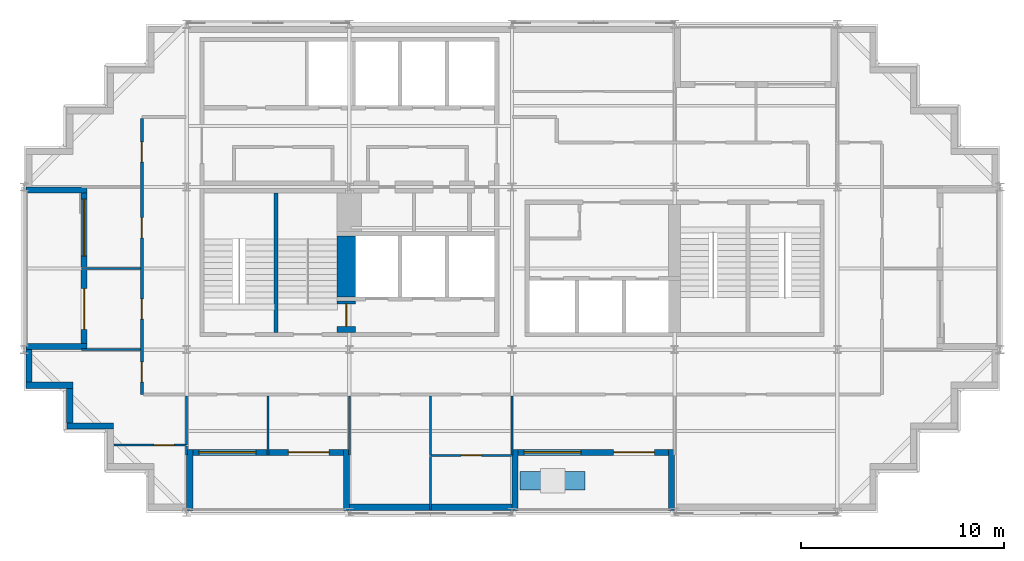
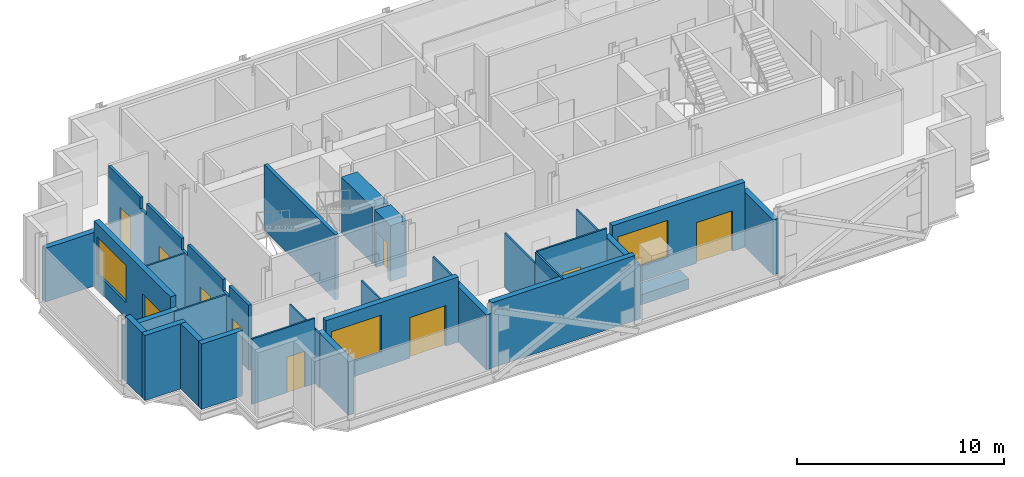
# One storey, part 4 of 10: 30 walls, 10 doors, 3 windows, 13 openings.
"""IFC4 building model written with IfcOpenShell, lengths in metres."""

from ifc_helpers import new_model, si_unit, direction, frame, frame_2d, origin, place, context, subcontext, project, spatial, polyline, rectangle, outline, extrude, material, layer, layer_set, type_object, element, fill, save


model = new_model("IFC4")

# Units and contexts
model_context = context("Model", 3, precision=1e-05, world=origin(), true_north=direction((0.0, 1.0)))
body_context = subcontext(model_context, "Body", "Model", "MODEL_VIEW")
ifc_project = project(units=[si_unit("LENGTHUNIT", "METRE"), si_unit("AREAUNIT", "SQUARE_METRE"), si_unit("VOLUMEUNIT", "CUBIC_METRE"), si_unit("PLANEANGLEUNIT", "RADIAN"), si_unit("MASSUNIT", "GRAM", prefix="KILO")], contexts=[model_context])

# Site, building, storey
site_placement = place(None, origin())
site = spatial("IfcSite", under=ifc_project, at=site_placement, CompositionType="ELEMENT")
building_placement = place(site_placement, origin())
building = spatial("IfcBuilding", under=site, at=building_placement, Name="Immortelle Media Tower", CompositionType="ELEMENT")
storey_placement = place(building_placement, frame((0.0, 0.0, 233.0)))
storey = spatial("IfcBuildingStorey", under=building, at=storey_placement, Name="L50", CompositionType="ELEMENT", Elevation=233.0)

# Wall, openings, doors
ifc_material_1 = material(Name="Fire-rated gypsum board", Category="gypsum")
ifc_layer_1 = layer(ifc_material_1, 0.012451171875)
ifc_material_2 = material(Name="Steel ASTM A653 SS Gr 50 stud frame with mineral wool", Category="steel")
ifc_layer_2 = layer(ifc_material_2, 0.125)
ifc_layer_3 = layer(ifc_material_1, 0.012451171875)
ifc_layer_set_1 = layer_set([ifc_layer_1, ifc_layer_2, ifc_layer_3], Name="Steel ASTM A653 SS Gr 50 stud frame with mineral wool")
wall_type_1 = type_object("IfcWallType", Name="Corridor wall 150", PredefinedType="PARTITIONING", material=ifc_layer_set_1)
wall_1_placement = place(storey_placement, frame((5.800048828125, 5.800048828125, 0.0), z_axis=(0.0, 0.0, 1.0), x_axis=(0.0, 1.0, 0.0)))
wall_1 = element("IfcWall", 1, at=wall_1_placement, inside=storey, type_object=wall_type_1, Name="Partition L50-012", PredefinedType="PARTITIONING", context=body_context, shape_type="SweptSolid", body=[
    extrude(outline(polyline([(0.0, 0.0), (13.574951171875, 0.0), (13.574951171875, 3.85009765625), (10.5, 3.85009765625), (10.498046875, 3.172119140625), (9.902099609375, 3.172119140625), (9.89990234375, 3.85009765625), (6.5, 3.85009765625), (6.498046875, 3.172119140625), (5.902099609375, 3.172119140625), (5.89990234375, 3.85009765625), (2.5, 3.85009765625), (2.498046875, 3.172119140625), (1.902099609375, 3.172119140625), (1.89990234375, 3.85009765625), (0.0, 3.85009765625), (0.0, 0.0)])), frame((0.0, 0.074951171875, 0.0), z_axis=(0.0, -1.0, 0.0), x_axis=(1.0, 0.0, 0.0)), (0.0, 0.0, 1.0), 0.14990234375),
])
opening_1_placement = place(wall_1_placement, frame((0.60009765625, 0.0, 0.0)))
opening_1 = element("IfcOpeningElement", 2, at=opening_1_placement, cuts=wall_1, Name="Opening O6-F008", PredefinedType="OPENING", context=body_context, shape_type="SweptSolid", body=[
    extrude(rectangle(XDim=1.0, YDim=2.10009765625, at=frame_2d((0.5, 1.050048828125))), frame((0.0, 0.0849609375, 0.0), z_axis=(0.0, -1.0, 0.0), x_axis=(1.0, 0.0, 0.0)), (0.0, 0.0, 1.0), 0.169921875),
])
opening_2_placement = place(wall_1_placement, frame((3.699951171875, 0.0, 0.0)))
opening_2 = element("IfcOpeningElement", 3, at=opening_2_placement, cuts=wall_1, Name="Opening O6-F010", PredefinedType="OPENING", context=body_context, shape_type="SweptSolid", body=[
    extrude(rectangle(XDim=1.0, YDim=2.10009765625, at=frame_2d((0.5, 1.050048828125))), frame((0.0, 0.0849609375, 0.0), z_axis=(0.0, -1.0, 0.0), x_axis=(1.0, 0.0, 0.0)), (0.0, 0.0, 1.0), 0.169921875),
])
opening_3_placement = place(wall_1_placement, frame((7.699951171875, 0.0, 0.0)))
opening_3 = element("IfcOpeningElement", 4, at=opening_3_placement, cuts=wall_1, Name="Opening O6-F011", PredefinedType="OPENING", context=body_context, shape_type="SweptSolid", body=[
    extrude(rectangle(XDim=1.0, YDim=2.10009765625, at=frame_2d((0.5, 1.050048828125))), frame((0.0, 0.0849609375, 0.0), z_axis=(0.0, -1.0, 0.0), x_axis=(1.0, 0.0, 0.0)), (0.0, 0.0, 1.0), 0.169921875),
])
opening_4_placement = place(wall_1_placement, frame((11.425048828125, 0.0, 0.0)))
opening_4 = element("IfcOpeningElement", 5, at=opening_4_placement, cuts=wall_1, Name="Opening O6-F014", PredefinedType="OPENING", context=body_context, shape_type="SweptSolid", body=[
    extrude(rectangle(XDim=1.0, YDim=2.10009765625, at=frame_2d((0.5, 1.050048828125))), frame((0.0, 0.0849609375, 0.0), z_axis=(0.0, -1.0, 0.0), x_axis=(1.0, 0.0, 0.0)), (0.0, 0.0, 1.0), 0.169921875),
])
ifc_material_3 = material(Name="Timber veneered door leaf, galvanised steel frame ASTM A653", Category="steel")
door_type_1 = type_object("IfcDoorType", Name="Room door 1000 x 2100", OperationType="NOTDEFINED", PredefinedType="DOOR", material=ifc_material_3)
door_1_placement = place(opening_1_placement, origin())
door_1 = element("IfcDoor", 6, at=door_1_placement, inside=storey, type_object=door_type_1, Name="Door O6-F008", OperationType="SINGLE_SWING_RIGHT", OverallHeight=2.10009765625, OverallWidth=1.0, PredefinedType="DOOR", context=body_context, shape_type="SweptSolid", body=[
    extrude(rectangle(XDim=1.0, YDim=2.10009765625, at=frame_2d((0.5, 1.050048828125))), frame((0.0, 0.02490234375, 0.0), z_axis=(0.0, -1.0, 0.0), x_axis=(1.0, 0.0, 0.0)), (0.0, 0.0, 1.0), 0.050048828125),
])
fill(opening_1, door_1)
door_2_placement = place(opening_2_placement, origin())
door_2 = element("IfcDoor", 7, at=door_2_placement, inside=storey, type_object=door_type_1, Name="Door O6-F010", OperationType="SINGLE_SWING_RIGHT", OverallHeight=2.10009765625, OverallWidth=1.0, PredefinedType="DOOR", context=body_context, shape_type="SweptSolid", body=[
    extrude(rectangle(XDim=1.0, YDim=2.10009765625, at=frame_2d((0.5, 1.050048828125))), frame((0.0, 0.02490234375, 0.0), z_axis=(0.0, -1.0, 0.0), x_axis=(1.0, 0.0, 0.0)), (0.0, 0.0, 1.0), 0.050048828125),
])
fill(opening_2, door_2)
door_3_placement = place(opening_3_placement, origin())
door_3 = element("IfcDoor", 8, at=door_3_placement, inside=storey, type_object=door_type_1, Name="Door O6-F011", OperationType="SINGLE_SWING_LEFT", OverallHeight=2.10009765625, OverallWidth=1.0, PredefinedType="DOOR", context=body_context, shape_type="SweptSolid", body=[
    extrude(rectangle(XDim=1.0, YDim=2.10009765625, at=frame_2d((0.5, 1.050048828125))), frame((0.0, 0.02490234375, 0.0), z_axis=(0.0, -1.0, 0.0), x_axis=(1.0, 0.0, 0.0)), (0.0, 0.0, 1.0), 0.050048828125),
])
fill(opening_3, door_3)
door_4_placement = place(opening_4_placement, origin())
door_4 = element("IfcDoor", 9, at=door_4_placement, inside=storey, type_object=door_type_1, Name="Door O6-F014", OperationType="SINGLE_SWING_LEFT", OverallHeight=2.10009765625, OverallWidth=1.0, PredefinedType="DOOR", context=body_context, shape_type="SweptSolid", body=[
    extrude(rectangle(XDim=1.0, YDim=2.10009765625, at=frame_2d((0.5, 1.050048828125))), frame((0.0, 0.02490234375, 0.0), z_axis=(0.0, -1.0, 0.0), x_axis=(1.0, 0.0, 0.0)), (0.0, 0.0, 1.0), 0.050048828125),
])
fill(opening_4, door_4)

# Walls
ifc_material_4 = material(Name="Pale aluminium cladding panel", Category="aluminium")
ifc_layer_4 = layer(ifc_material_4, 0.030029296875)
ifc_layer_5 = layer(ifc_material_2, 0.257568359375)
ifc_material_5 = material(Name="Moisture-resistant gypsum board", Category="gypsum")
ifc_layer_6 = layer(ifc_material_5, 0.012451171875)
ifc_layer_set_2 = layer_set([ifc_layer_4, ifc_layer_5, ifc_layer_6], Name="Steel ASTM A653 SS Gr 50 stud frame with mineral wool")
wall_type_2 = type_object("IfcWallType", Name="Facade wall 300", PredefinedType="SOLIDWALL", material=ifc_layer_set_2)
wall_2_placement = place(storey_placement, frame((0.10009765625, 6.25, 0.0), z_axis=(0.0, 0.0, 1.0), x_axis=(1.0, 0.0, 0.0)))
element("IfcWall", 10, at=wall_2_placement, inside=storey, type_object=wall_type_2, Name="Facade wall L50 S0", PredefinedType="SOLIDWALL", context=body_context, shape_type="SweptSolid", body=[
    extrude(rectangle(XDim=2.2998046875, YDim=0.300048828125, at=frame_2d((1.14990234375, 0.0))), origin(), (0.0, 0.0, 1.0), 3.85009765625),
])
wall_3_placement = place(storey_placement, frame((2.25, 6.10009765625, 0.0), z_axis=(0.0, 0.0, 1.0), x_axis=(0.0, -1.0, 0.0)))
element("IfcWall", 11, at=wall_3_placement, inside=storey, type_object=wall_type_2, Name="Facade wall L50 W1", PredefinedType="SOLIDWALL", context=body_context, shape_type="SweptSolid", body=[
    extrude(rectangle(XDim=1.7001953125, YDim=0.300048828125, at=frame_2d((0.85009765625, 0.0))), origin(), (0.0, 0.0, 1.0), 3.85009765625),
])
wall_4_placement = place(storey_placement, frame((2.10009765625, 4.25, 0.0), z_axis=(0.0, 0.0, 1.0), x_axis=(1.0, 0.0, 0.0)))
element("IfcWall", 12, at=wall_4_placement, inside=storey, type_object=wall_type_2, Name="Facade wall L50 S2", PredefinedType="SOLIDWALL", context=body_context, shape_type="SweptSolid", body=[
    extrude(rectangle(XDim=2.2998046875, YDim=0.300048828125, at=frame_2d((1.14990234375, 0.0))), origin(), (0.0, 0.0, 1.0), 3.85009765625),
])

# Wall, openings, door, window
wall_5_placement = place(storey_placement, frame((8.300048828125, 2.949951171875, 0.0), z_axis=(0.0, 0.0, 1.0), x_axis=(1.0, 0.0, 0.0)))
wall_5 = element("IfcWall", 13, at=wall_5_placement, inside=storey, type_object=wall_type_2, Name="Loggia wall L50 S6", PredefinedType="SOLIDWALL", context=body_context, shape_type="SweptSolid", body=[
    extrude(rectangle(XDim=7.39990234375, YDim=0.300048828125, at=frame_2d((3.699951171875, 0.0))), origin(), (0.0, 0.0, 1.0), 3.85009765625),
])
opening_5_placement = place(wall_5_placement, frame((0.300048828125, 0.0, 0.89990234375)))
opening_5 = element("IfcOpeningElement", 14, at=opening_5_placement, cuts=wall_5, Name="Opening W1", PredefinedType="OPENING", context=body_context, shape_type="SweptSolid", body=[
    extrude(rectangle(XDim=2.800048828125, YDim=2.199951171875, at=frame_2d((1.39990234375, 1.10009765625))), frame((0.0, 0.159912109375, 0.0), z_axis=(0.0, -1.0, 0.0), x_axis=(1.0, 0.0, 0.0)), (0.0, 0.0, 1.0), 0.320068359375),
])
opening_6_placement = place(wall_5_placement, frame((4.699951171875, 0.0, 0.0)))
opening_6 = element("IfcOpeningElement", 15, at=opening_6_placement, cuts=wall_5, Name="Opening O6-E001", PredefinedType="OPENING", context=body_context, shape_type="SweptSolid", body=[
    extrude(rectangle(XDim=2.0, YDim=2.39990234375, at=frame_2d((1.0, 1.199951171875))), frame((0.0, 0.159912109375, 0.0), z_axis=(0.0, -1.0, 0.0), x_axis=(1.0, 0.0, 0.0)), (0.0, 0.0, 1.0), 0.320068359375),
])
ifc_material_6 = material(Name="Aluminium frame, glazed leaves", Category="aluminium")
door_type_2 = type_object("IfcDoorType", Name="Loggia door 2000 x 2400", OperationType="DOUBLE_DOOR_SINGLE_SWING", PredefinedType="DOOR", material=ifc_material_6)
door_5_placement = place(opening_6_placement, origin())
door_5 = element("IfcDoor", 16, at=door_5_placement, inside=storey, type_object=door_type_2, Name="Door O6-E001", OperationType="DOUBLE_DOOR_SINGLE_SWING", OverallHeight=2.39990234375, OverallWidth=2.0, PredefinedType="DOOR", context=body_context, shape_type="SweptSolid", body=[
    extrude(rectangle(XDim=2.0, YDim=2.39990234375, at=frame_2d((1.0, 1.199951171875))), frame((0.0, 0.02490234375, 0.0), z_axis=(0.0, -1.0, 0.0), x_axis=(1.0, 0.0, 0.0)), (0.0, 0.0, 1.0), 0.050048828125),
])
fill(opening_6, door_5)
ifc_material_7 = material(Name="Aluminium frame", Category="aluminium")
window_type = type_object("IfcWindowType", Name="Window 2800 x 2200", PartitioningType="SINGLE_PANEL", PredefinedType="WINDOW", material=ifc_material_7)
window_1_placement = place(opening_5_placement, origin())
window_1 = element("IfcWindow", 17, at=window_1_placement, inside=storey, type_object=window_type, Name="Window L50 L50-R6-B0", OverallHeight=2.199951171875, OverallWidth=2.800048828125, PartitioningType="SINGLE_PANEL", PredefinedType="WINDOW", context=body_context, shape_type="SweptSolid", body=[
    extrude(rectangle(XDim=2.800048828125, YDim=2.199951171875, at=frame_2d((1.39990234375, 1.10009765625))), frame((0.0, 0.030029296875, 0.0), z_axis=(0.0, -1.0, 0.0), x_axis=(1.0, 0.0, 0.0)), (0.0, 0.0, 1.0), 0.06005859375),
])
fill(opening_5, window_1)

# Walls
wall_6_placement = place(storey_placement, frame((8.14990234375, 0.10009765625, 0.0), z_axis=(0.0, 0.0, 1.0), x_axis=(0.0, 1.0, 0.0)))
element("IfcWall", 18, at=wall_6_placement, inside=storey, type_object=wall_type_2, Name="Loggia cheek wall L50 S", PredefinedType="SOLIDWALL", context=body_context, shape_type="SweptSolid", body=[
    extrude(rectangle(XDim=3.0, YDim=0.300048828125, at=frame_2d((1.5, 0.0))), origin(), (0.0, 0.0, 1.0), 3.1708984375),
])
wall_7_placement = place(storey_placement, frame((15.85009765625, 0.10009765625, 0.0), z_axis=(0.0, 0.0, 1.0), x_axis=(0.0, 1.0, 0.0)))
element("IfcWall", 19, at=wall_7_placement, inside=storey, type_object=wall_type_2, Name="Loggia cheek wall L50 S", PredefinedType="SOLIDWALL", context=body_context, shape_type="SweptSolid", body=[
    extrude(rectangle(XDim=3.0, YDim=0.300048828125, at=frame_2d((1.5, 0.0))), origin(), (0.0, 0.0, 1.0), 3.237060546875),
])
wall_8_placement = place(storey_placement, frame((16.0, 0.25, 0.0), z_axis=(0.0, 0.0, 1.0), x_axis=(1.0, 0.0, 0.0)))
element("IfcWall", 20, at=wall_8_placement, inside=storey, type_object=wall_type_2, Name="Facade wall L50 S6", PredefinedType="SOLIDWALL", context=body_context, shape_type="SweptSolid", body=[
    extrude(rectangle(XDim=8.0, YDim=0.300048828125, at=frame_2d((4.0, 0.0))), origin(), (0.0, 0.0, 1.0), 3.85009765625),
])

# Wall, openings, door, window
wall_9_placement = place(storey_placement, frame((24.300048828125, 2.949951171875, 0.0), z_axis=(0.0, 0.0, 1.0), x_axis=(1.0, 0.0, 0.0)))
wall_9 = element("IfcWall", 21, at=wall_9_placement, inside=storey, type_object=wall_type_2, Name="Loggia wall L50 S6", PredefinedType="SOLIDWALL", context=body_context, shape_type="SweptSolid", body=[
    extrude(rectangle(XDim=7.39990234375, YDim=0.300048828125, at=frame_2d((3.699951171875, 0.0))), origin(), (0.0, 0.0, 1.0), 3.85009765625),
])
opening_7_placement = place(wall_9_placement, frame((0.300048828125, 0.0, 0.89990234375)))
opening_7 = element("IfcOpeningElement", 22, at=opening_7_placement, cuts=wall_9, Name="Opening W1", PredefinedType="OPENING", context=body_context, shape_type="SweptSolid", body=[
    extrude(rectangle(XDim=2.800048828125, YDim=2.199951171875, at=frame_2d((1.39990234375, 1.10009765625))), frame((0.0, 0.159912109375, 0.0), z_axis=(0.0, -1.0, 0.0), x_axis=(1.0, 0.0, 0.0)), (0.0, 0.0, 1.0), 0.320068359375),
])
opening_8_placement = place(wall_9_placement, frame((4.699951171875, 0.0, 0.0)))
opening_8 = element("IfcOpeningElement", 23, at=opening_8_placement, cuts=wall_9, Name="Opening O6-E002", PredefinedType="OPENING", context=body_context, shape_type="SweptSolid", body=[
    extrude(rectangle(XDim=2.0, YDim=2.39990234375, at=frame_2d((1.0, 1.199951171875))), frame((0.0, 0.159912109375, 0.0), z_axis=(0.0, -1.0, 0.0), x_axis=(1.0, 0.0, 0.0)), (0.0, 0.0, 1.0), 0.320068359375),
])
door_6_placement = place(opening_8_placement, origin())
door_6 = element("IfcDoor", 24, at=door_6_placement, inside=storey, type_object=door_type_2, Name="Door O6-E002", OperationType="DOUBLE_DOOR_SINGLE_SWING", OverallHeight=2.39990234375, OverallWidth=2.0, PredefinedType="DOOR", context=body_context, shape_type="SweptSolid", body=[
    extrude(rectangle(XDim=2.0, YDim=2.39990234375, at=frame_2d((1.0, 1.199951171875))), frame((0.0, 0.02490234375, 0.0), z_axis=(0.0, -1.0, 0.0), x_axis=(1.0, 0.0, 0.0)), (0.0, 0.0, 1.0), 0.050048828125),
])
fill(opening_8, door_6)
window_2_placement = place(opening_7_placement, origin())
window_2 = element("IfcWindow", 25, at=window_2_placement, inside=storey, type_object=window_type, Name="Window L50 L50-R6-B2", OverallHeight=2.199951171875, OverallWidth=2.800048828125, PartitioningType="SINGLE_PANEL", PredefinedType="WINDOW", context=body_context, shape_type="SweptSolid", body=[
    extrude(rectangle(XDim=2.800048828125, YDim=2.199951171875, at=frame_2d((1.39990234375, 1.10009765625))), frame((0.0, 0.030029296875, 0.0), z_axis=(0.0, -1.0, 0.0), x_axis=(1.0, 0.0, 0.0)), (0.0, 0.0, 1.0), 0.06005859375),
])
fill(opening_7, window_2)

# Walls
for number, where, z_axis, x_axis, name in (
    (26, (24.14990234375, 0.10009765625, 0.0), (0.0, 0.0, 1.0), (0.0, 1.0, 0.0), "Loggia cheek wall L50 S"),
    (27, (31.85009765625, 0.10009765625, 0.0), (0.0, 0.0, 1.0), (0.0, 1.0, 0.0), "Loggia cheek wall L50 S"),
):
    element("IfcWall", number, at=place(storey_placement, frame(where, z_axis=z_axis, x_axis=x_axis)), inside=storey, type_object=wall_type_2, Name=name, PredefinedType="SOLIDWALL", context=body_context, shape_type="SweptSolid", body=[
        extrude(rectangle(XDim=3.0, YDim=0.300048828125, at=frame_2d((1.5, 0.0))), origin(), (0.0, 0.0, 1.0), 3.237060546875),
    ])

# Wall, openings, door, window
wall_10_placement = place(storey_placement, frame((2.949951171875, 15.699951171875, 0.0), z_axis=(0.0, 0.0, 1.0), x_axis=(0.0, -1.0, 0.0)))
wall_10 = element("IfcWall", 28, at=wall_10_placement, inside=storey, type_object=wall_type_2, Name="Loggia wall L50 W27", PredefinedType="SOLIDWALL", context=body_context, shape_type="SweptSolid", body=[
    extrude(rectangle(XDim=7.39990234375, YDim=0.300048828125, at=frame_2d((3.699951171875, 0.0))), origin(), (0.0, 0.0, 1.0), 3.85009765625),
])
opening_9_placement = place(wall_10_placement, frame((0.300048828125, 0.0, 0.89990234375)))
opening_9 = element("IfcOpeningElement", 29, at=opening_9_placement, cuts=wall_10, Name="Opening W1", PredefinedType="OPENING", context=body_context, shape_type="SweptSolid", body=[
    extrude(rectangle(XDim=2.800048828125, YDim=2.199951171875, at=frame_2d((1.39990234375, 1.10009765625))), frame((0.0, 0.159912109375, 0.0), z_axis=(0.0, -1.0, 0.0), x_axis=(1.0, 0.0, 0.0)), (0.0, 0.0, 1.0), 0.320068359375),
])
opening_10_placement = place(wall_10_placement, frame((4.699951171875, 0.0, 0.0)))
opening_10 = element("IfcOpeningElement", 30, at=opening_10_placement, cuts=wall_10, Name="Opening O6-E006", PredefinedType="OPENING", context=body_context, shape_type="SweptSolid", body=[
    extrude(rectangle(XDim=2.0, YDim=2.39990234375, at=frame_2d((1.0, 1.199951171875))), frame((0.0, 0.159912109375, 0.0), z_axis=(0.0, -1.0, 0.0), x_axis=(1.0, 0.0, 0.0)), (0.0, 0.0, 1.0), 0.320068359375),
])
door_7_placement = place(opening_10_placement, origin())
door_7 = element("IfcDoor", 31, at=door_7_placement, inside=storey, type_object=door_type_2, Name="Door O6-E006", OperationType="DOUBLE_DOOR_SINGLE_SWING", OverallHeight=2.39990234375, OverallWidth=2.0, PredefinedType="DOOR", context=body_context, shape_type="SweptSolid", body=[
    extrude(rectangle(XDim=2.0, YDim=2.39990234375, at=frame_2d((1.0, 1.199951171875))), frame((0.0, 0.02490234375, 0.0), z_axis=(0.0, -1.0, 0.0), x_axis=(1.0, 0.0, 0.0)), (0.0, 0.0, 1.0), 0.050048828125),
])
fill(opening_10, door_7)
window_3_placement = place(opening_9_placement, origin())
window_3 = element("IfcWindow", 32, at=window_3_placement, inside=storey, type_object=window_type, Name="Window L50 L50-R27-B0", OverallHeight=2.199951171875, OverallWidth=2.800048828125, PartitioningType="SINGLE_PANEL", PredefinedType="WINDOW", context=body_context, shape_type="SweptSolid", body=[
    extrude(rectangle(XDim=2.800048828125, YDim=2.199951171875, at=frame_2d((1.39990234375, 1.10009765625))), frame((0.0, 0.030029296875, 0.0), z_axis=(0.0, -1.0, 0.0), x_axis=(1.0, 0.0, 0.0)), (0.0, 0.0, 1.0), 0.06005859375),
])
fill(opening_9, window_3)

# Walls
for number, where, z_axis, x_axis, name in (
    (33, (0.10009765625, 15.85009765625, 0.0), (0.0, 0.0, 1.0), (1.0, 0.0, 0.0), "Loggia cheek wall L50 W"),
    (34, (0.10009765625, 8.14990234375, 0.0), (0.0, 0.0, 1.0), (1.0, 0.0, 0.0), "Loggia cheek wall L50 W"),
):
    element("IfcWall", number, at=place(storey_placement, frame(where, z_axis=z_axis, x_axis=x_axis)), inside=storey, type_object=wall_type_2, Name=name, PredefinedType="SOLIDWALL", context=body_context, shape_type="SweptSolid", body=[
        extrude(rectangle(XDim=3.0, YDim=0.300048828125, at=frame_2d((1.5, 0.0))), origin(), (0.0, 0.0, 1.0), 3.1708984375),
    ])
wall_11_placement = place(storey_placement, frame((0.25, 8.0, 0.0), z_axis=(0.0, 0.0, 1.0), x_axis=(0.0, -1.0, 0.0)))
element("IfcWall", 35, at=wall_11_placement, inside=storey, type_object=wall_type_2, Name="Facade wall L50 W27", PredefinedType="SOLIDWALL", context=body_context, shape_type="SweptSolid", body=[
    extrude(rectangle(XDim=1.60009765625, YDim=0.300048828125, at=frame_2d((0.800048828125, 0.0))), origin(), (0.0, 0.0, 1.0), 3.85009765625),
])
ifc_material_8 = material(Name="Gypsum board", Category="gypsum")
ifc_layer_7 = layer(ifc_material_8, 0.012451171875)
ifc_layer_8 = layer(ifc_material_2, 0.074951171875)
ifc_layer_9 = layer(ifc_material_8, 0.012451171875)
ifc_layer_set_3 = layer_set([ifc_layer_7, ifc_layer_8, ifc_layer_9], Name="Steel ASTM A653 SS Gr 50 stud frame with mineral wool")
wall_type_3 = type_object("IfcWallType", Name="Partition 100", PredefinedType="PARTITIONING", material=ifc_layer_set_3)
wall_12_placement = place(storey_placement, frame((20.0, 0.1298828125, 0.0), z_axis=(0.0, 0.0, 1.0), x_axis=(0.0, 1.0, 0.0)))
element("IfcWall", 36, at=wall_12_placement, inside=storey, type_object=wall_type_3, Name="Partition L50-001", PredefinedType="PARTITIONING", context=body_context, shape_type="SweptSolid", body=[
    extrude(rectangle(XDim=2.6201171875, YDim=0.10009765625, at=frame_2d((1.31005859375, 0.0))), origin(), (0.0, 0.0, 1.0), 3.85009765625),
])

# Wall, opening, door
wall_13_placement = place(storey_placement, frame((20.050048828125, 2.800048828125, 0.0), z_axis=(0.0, 0.0, 1.0), x_axis=(1.0, 0.0, 0.0)))
wall_13 = element("IfcWall", 37, at=wall_13_placement, inside=storey, type_object=wall_type_3, Name="Partition L50-002", PredefinedType="PARTITIONING", context=body_context, shape_type="SweptSolid", body=[
    extrude(rectangle(XDim=3.919921875, YDim=0.10009765625, at=frame_2d((1.9599609375, 0.0))), origin(), (0.0, 0.0, 1.0), 3.85009765625),
])
opening_11_placement = place(wall_13_placement, frame((1.449951171875, 0.0, 0.0)))
opening_11 = element("IfcOpeningElement", 38, at=opening_11_placement, cuts=wall_13, Name="Opening O6-F003", PredefinedType="OPENING", context=body_context, shape_type="SweptSolid", body=[
    extrude(rectangle(XDim=1.0, YDim=2.10009765625, at=frame_2d((0.5, 1.050048828125))), frame((0.0, 0.06005859375, 0.0), z_axis=(0.0, -1.0, 0.0), x_axis=(1.0, 0.0, 0.0)), (0.0, 0.0, 1.0), 0.1201171875),
])
door_8_placement = place(opening_11_placement, origin())
door_8 = element("IfcDoor", 39, at=door_8_placement, inside=storey, type_object=door_type_1, Name="Door O6-F003", OperationType="SINGLE_SWING_LEFT", OverallHeight=2.10009765625, OverallWidth=1.0, PredefinedType="DOOR", context=body_context, shape_type="SweptSolid", body=[
    extrude(rectangle(XDim=1.0, YDim=2.10009765625, at=frame_2d((0.5, 1.050048828125))), frame((0.0, 0.02490234375, 0.0), z_axis=(0.0, -1.0, 0.0), x_axis=(1.0, 0.0, 0.0)), (0.0, 0.0, 1.0), 0.050048828125),
])
fill(opening_11, door_8)

# Walls
wall_14_placement = place(storey_placement, frame((20.0, 2.800048828125, 0.0), z_axis=(0.0, 0.0, 1.0), x_axis=(0.0, 1.0, 0.0)))
element("IfcWall", 40, at=wall_14_placement, inside=storey, type_object=wall_type_3, Name="Partition L50-003", PredefinedType="PARTITIONING", context=body_context, shape_type="SweptSolid", body=[
    extrude(rectangle(XDim=2.925048828125, YDim=0.10009765625, at=frame_2d((1.46240234375, 0.0))), origin(), (0.0, 0.0, 1.0), 3.172119140625),
])
wall_15_placement = place(storey_placement, frame((8.0, 2.830078125, 0.0), z_axis=(0.0, 0.0, 1.0), x_axis=(0.0, 1.0, 0.0)))
element("IfcWall", 41, at=wall_15_placement, inside=storey, type_object=wall_type_3, Name="Partition L50-004", PredefinedType="PARTITIONING", context=body_context, shape_type="SweptSolid", body=[
    extrude(rectangle(XDim=0.419921875, YDim=0.10009765625, at=frame_2d((0.2099609375, 0.0))), origin(), (0.0, 0.0, 1.0), 3.172119140625),
])
for number, where, z_axis, x_axis, name in (
    (42, (12.0, 2.830078125, 0.0), (0.0, 0.0, 1.0), (0.0, 1.0, 0.0), "Partition L50-005"),
    (43, (16.0, 2.830078125, 0.0), (0.0, 0.0, 1.0), (0.0, 1.0, 0.0), "Partition L50-006"),
    (44, (24.0, 2.830078125, 0.0), (0.0, 0.0, 1.0), (0.0, 1.0, 0.0), "Partition L50-007"),
):
    element("IfcWall", number, at=place(storey_placement, frame(where, z_axis=z_axis, x_axis=x_axis)), inside=storey, type_object=wall_type_3, Name=name, PredefinedType="PARTITIONING", context=body_context, shape_type="SweptSolid", body=[
        extrude(rectangle(XDim=2.89501953125, YDim=0.10009765625, at=frame_2d((1.447509765625, 0.0))), origin(), (0.0, 0.0, 1.0), 3.172119140625),
    ])

# Wall, opening, door
wall_16_placement = place(storey_placement, frame((4.429931640625, 3.300048828125, 0.0), z_axis=(0.0, 0.0, 1.0), x_axis=(1.0, 0.0, 0.0)))
wall_16 = element("IfcWall", 45, at=wall_16_placement, inside=storey, type_object=wall_type_3, Name="Partition L50-009", PredefinedType="PARTITIONING", context=body_context, shape_type="SweptSolid", body=[
    extrude(rectangle(XDim=3.52001953125, YDim=0.10009765625, at=frame_2d((1.760009765625, 0.0))), origin(), (0.0, 0.0, 1.0), 3.85009765625),
])
opening_12_placement = place(wall_16_placement, frame((2.949951171875, 0.0, 0.0), z_axis=(0.0, 0.0, 1.0), x_axis=(-1.0, 0.0, 0.0)))
opening_12 = element("IfcOpeningElement", 46, at=opening_12_placement, cuts=wall_16, Name="Opening O6-F009", PredefinedType="OPENING", context=body_context, shape_type="SweptSolid", body=[
    extrude(rectangle(XDim=1.0, YDim=2.10009765625, at=frame_2d((0.5, 1.050048828125))), frame((0.0, 0.06005859375, 0.0), z_axis=(0.0, -1.0, 0.0), x_axis=(1.0, 0.0, 0.0)), (0.0, 0.0, 1.0), 0.1201171875),
])
door_9_placement = place(opening_12_placement, origin())
door_9 = element("IfcDoor", 47, at=door_9_placement, inside=storey, type_object=door_type_1, Name="Door O6-F009", OperationType="SINGLE_SWING_LEFT", OverallHeight=2.10009765625, OverallWidth=1.0, PredefinedType="DOOR", context=body_context, shape_type="SweptSolid", body=[
    extrude(rectangle(XDim=1.0, YDim=2.10009765625, at=frame_2d((0.5, 1.050048828125))), frame((0.0, 0.02490234375, 0.0), z_axis=(0.0, -1.0, 0.0), x_axis=(1.0, 0.0, 0.0)), (0.0, 0.0, 1.0), 0.050048828125),
])
fill(opening_12, door_9)

# Walls
wall_17_placement = place(storey_placement, frame((8.0, 3.300048828125, 0.0), z_axis=(0.0, 0.0, 1.0), x_axis=(0.0, 1.0, 0.0)))
element("IfcWall", 48, at=wall_17_placement, inside=storey, type_object=wall_type_3, Name="Partition L50-010", PredefinedType="PARTITIONING", context=body_context, shape_type="SweptSolid", body=[
    extrude(rectangle(XDim=2.425048828125, YDim=0.10009765625, at=frame_2d((1.21240234375, 0.0))), origin(), (0.0, 0.0, 1.0), 3.172119140625),
])
for number, where, z_axis, x_axis, name in (
    (49, (2.830078125, 8.0, 0.0), (0.0, 0.0, 1.0), (1.0, 0.0, 0.0), "Partition L50-014"),
    (50, (2.830078125, 12.0, 0.0), (0.0, 0.0, 1.0), (1.0, 0.0, 0.0), "Partition L50-016"),
):
    element("IfcWall", number, at=place(storey_placement, frame(where, z_axis=z_axis, x_axis=x_axis)), inside=storey, type_object=wall_type_3, Name=name, PredefinedType="PARTITIONING", context=body_context, shape_type="SweptSolid", body=[
        extrude(rectangle(XDim=2.89501953125, YDim=0.10009765625, at=frame_2d((1.447509765625, 0.0))), origin(), (0.0, 0.0, 1.0), 3.172119140625),
    ])
ifc_layer_10 = layer(ifc_material_4, 0.0029296875)
ifc_material_9 = material(Name="Steel ASTM A572 Gr 50 planter shell", Category="steel")
ifc_layer_11 = layer(ifc_material_9, 0.011962890625)
ifc_material_10 = material(Name="Planting substrate", Category="soil")
ifc_layer_12 = layer(ifc_material_10, 0.873046875)
ifc_layer_13 = layer(ifc_material_9, 0.011962890625)
ifc_layer_set_4 = layer_set([ifc_layer_10, ifc_layer_11, ifc_layer_12, ifc_layer_13], Name="Steel ASTM A572 Gr 50 planter shell")
wall_type_4 = type_object("IfcWallType", Name="Planter wall 900", PredefinedType="SOLIDWALL", material=ifc_layer_set_4)
wall_18_placement = place(storey_placement, frame((24.39990234375, 1.550048828125, 0.0), z_axis=(0.0, 0.0, 1.0), x_axis=(1.0, 0.0, 0.0)))
element("IfcWall", 51, at=wall_18_placement, inside=storey, type_object=wall_type_4, Name="Planter L50 S2", PredefinedType="SOLIDWALL", context=body_context, shape_type="SweptSolid", body=[
    extrude(rectangle(XDim=3.2001953125, YDim=0.89990234375, at=frame_2d((1.60009765625, 0.0))), origin(), (0.0, 0.0, 1.0), 0.60009765625),
])
ifc_material_11 = material(Name="Concrete C60", Category="concrete")
ifc_layer_14 = layer(ifc_material_11, 0.199951171875)
ifc_layer_set_5 = layer_set([ifc_layer_14], Name="Concrete C60")
wall_type_5 = type_object("IfcWallType", Name="Stair shaft wall 200", PredefinedType="PARTITIONING", material=ifc_layer_set_5)
wall_19_placement = place(storey_placement, frame((12.39990234375, 8.85009765625, 0.0), z_axis=(0.0, 0.0, 1.0), x_axis=(0.0, 1.0, 0.0)))
element("IfcWall", 52, at=wall_19_placement, inside=storey, type_object=wall_type_5, Name="Stair shaft wall SW", PredefinedType="PARTITIONING", context=body_context, shape_type="SweptSolid", body=[
    extrude(rectangle(XDim=6.849853515625, YDim=0.199951171875, at=frame_2d((3.4248046875, 0.0))), origin(), (0.0, 0.0, 1.0), 3.85009765625),
])

# Wall, opening, door
ifc_layer_15 = layer(ifc_material_11, 0.89990234375)
ifc_layer_set_6 = layer_set([ifc_layer_15], Name="Concrete C60")
wall_type_6 = type_object("IfcWallType", Name="Stair shaft wall 900", PredefinedType="PARTITIONING", material=ifc_layer_set_6)
wall_20_placement = place(storey_placement, frame((15.85009765625, 8.85009765625, 0.0), z_axis=(0.0, 0.0, 1.0), x_axis=(0.0, 1.0, 0.0)))
wall_20 = element("IfcWall", 53, at=wall_20_placement, inside=storey, type_object=wall_type_6, Name="Stair shaft wall SW", PredefinedType="PARTITIONING", context=body_context, shape_type="SweptSolid", body=[
    extrude(rectangle(XDim=1.5498046875, YDim=0.89990234375, at=frame_2d((0.77490234375, 0.0))), origin(), (0.0, 0.0, 1.0), 3.30810546875),
])
opening_13_placement = place(wall_20_placement, frame((0.300048828125, 0.0, 0.0)))
opening_13 = element("IfcOpeningElement", 54, at=opening_13_placement, cuts=wall_20, Name="Opening O6-K007", PredefinedType="OPENING", context=body_context, shape_type="SweptSolid", body=[
    extrude(rectangle(XDim=1.10009765625, YDim=2.10009765625, at=frame_2d((0.550048828125, 1.050048828125))), frame((0.0, 0.4599609375, 0.0), z_axis=(0.0, -1.0, 0.0), x_axis=(1.0, 0.0, 0.0)), (0.0, 0.0, 1.0), 0.919921875),
])
ifc_material_12 = material(Name="Galvanised steel door leaf and frame ASTM A653", Category="steel")
door_type_3 = type_object("IfcDoorType", Name="Stair lobby door 1100 x 2100", OperationType="NOTDEFINED", PredefinedType="NOTDEFINED", material=ifc_material_12)
door_10_placement = place(opening_13_placement, origin())
door_10 = element("IfcDoor", 55, at=door_10_placement, inside=storey, type_object=door_type_3, Name="Stair lobby O6-K007", OperationType="SINGLE_SWING_LEFT", OverallHeight=2.10009765625, OverallWidth=1.10009765625, PredefinedType="NOTDEFINED", context=body_context, shape_type="SweptSolid", body=[
    extrude(rectangle(XDim=1.10009765625, YDim=2.10009765625, at=frame_2d((0.550048828125, 1.050048828125))), frame((0.0, 0.02490234375, 0.0), z_axis=(0.0, -1.0, 0.0), x_axis=(1.0, 0.0, 0.0)), (0.0, 0.0, 1.0), 0.050048828125),
])
fill(opening_13, door_10)

# Wall
wall_21_placement = place(storey_placement, frame((15.85009765625, 10.60009765625, 0.0), z_axis=(0.0, 0.0, 1.0), x_axis=(0.0, 1.0, 0.0)))
element("IfcWall", 56, at=wall_21_placement, inside=storey, type_object=wall_type_6, Name="Stair shaft wall SW", PredefinedType="PARTITIONING", context=body_context, shape_type="SweptSolid", body=[
    extrude(rectangle(XDim=3.0, YDim=0.89990234375, at=frame_2d((1.5, 0.0))), origin(), (0.0, 0.0, 1.0), 3.30810546875),
])

save(model, "model.ifc")
